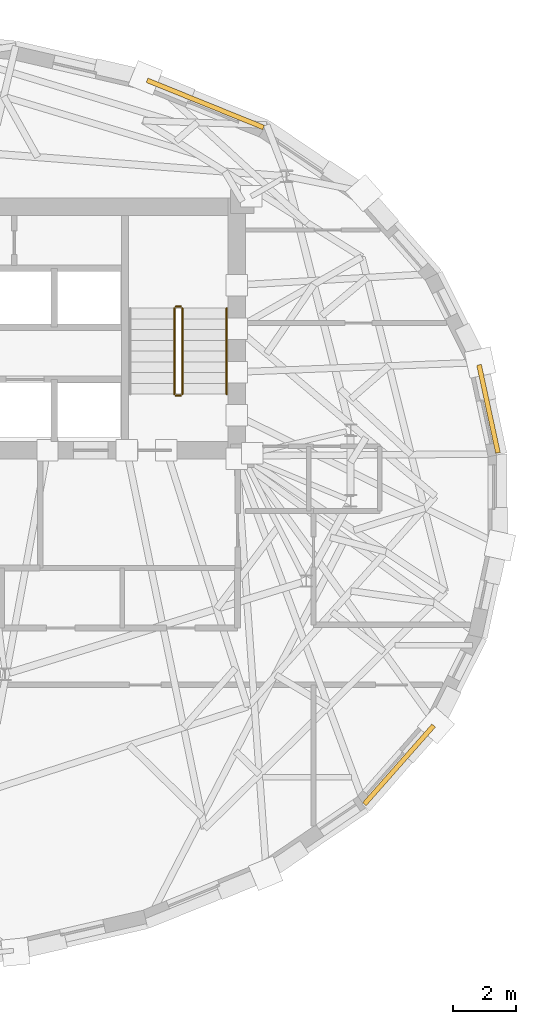
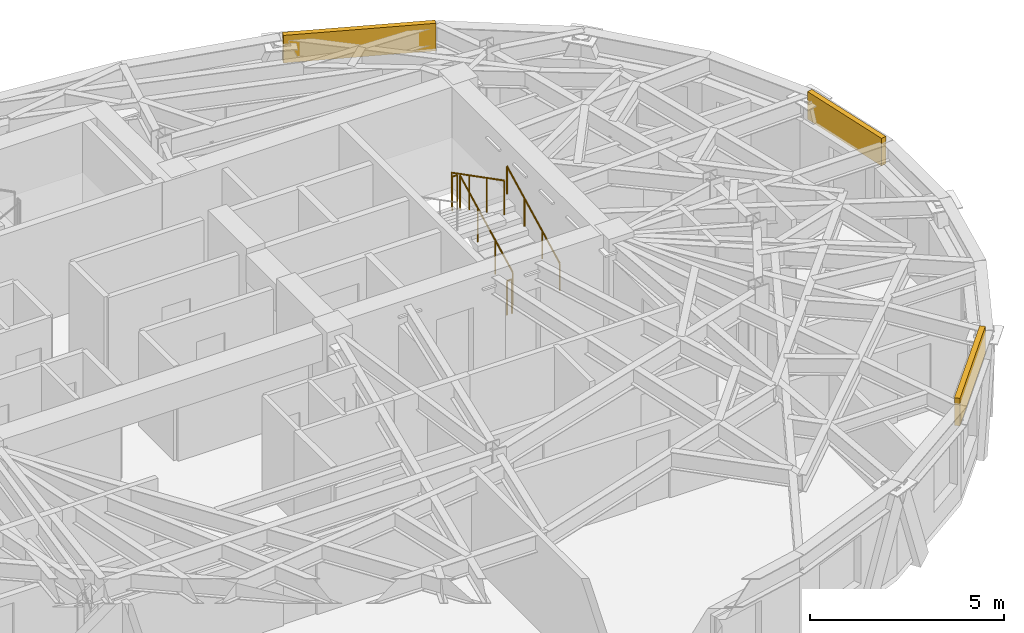
# One storey, part 13 of 13: 5 railings, 3 coverings.
"""IFC4 building model written with IfcOpenShell, lengths in metres."""

from ifc_helpers import new_model, si_unit, direction, frame, origin, origin_2d, place, context, subcontext, project, spatial, rectangle, circle, extrude, material, layer, layer_set, type_object, element, save


model = new_model("IFC4")

# Units and contexts
model_context = context("Model", 3, precision=1e-05, world=origin(), true_north=direction((0.0, 1.0)))
body_context = subcontext(model_context, "Body", "Model", "MODEL_VIEW")
ifc_project = project(units=[si_unit("LENGTHUNIT", "METRE"), si_unit("AREAUNIT", "SQUARE_METRE"), si_unit("VOLUMEUNIT", "CUBIC_METRE"), si_unit("PLANEANGLEUNIT", "RADIAN"), si_unit("MASSUNIT", "GRAM", prefix="KILO")], contexts=[model_context])

# Site, building, storey
site_placement = place(None, origin())
site = spatial("IfcSite", under=ifc_project, at=site_placement, CompositionType="ELEMENT")
building_placement = place(site_placement, origin())
building = spatial("IfcBuilding", under=site, at=building_placement, Name="Keldmark Tower", CompositionType="ELEMENT")
storey_placement = place(building_placement, frame((0.0, 0.0, 241.5)))
storey = spatial("IfcBuildingStorey", under=building, at=storey_placement, Name="L68", CompositionType="ELEMENT", Elevation=241.5)

# Coverings
ifc_material_1 = material(Name="Honed Kasota Buff Dolomitic Limestone", Category="masonry")
ifc_layer = layer(ifc_material_1, 0.074951171875)
ifc_layer_set = layer_set([ifc_layer], Name="Honed Kasota Buff Dolomitic Limestone")
covering_type = type_object("IfcCoveringType", Name="Kasota Buff Limestone Spandrel Cladding Band", PredefinedType="CLADDING", material=ifc_layer_set)
covering_1_placement = place(storey_placement, frame((21.389404296875, 2.884033203125, 2.260009765625), z_axis=(0.0, 0.0, 1.0), x_axis=(-0.210540008659, 0.977585241682, 0.0)))
element("IfcCovering", 1, at=covering_1_placement, inside=storey, type_object=covering_type, Name="L68 Kasota Limestone Spandrel Band 01", PredefinedType="CLADDING", context=body_context, shape_type="SweptSolid", body=[
    extrude(rectangle(XDim=2.847412109375, YDim=0.14990234375, at=origin_2d()), origin(), (0.0, 0.0, 1.0), 0.8701171875),
])
covering_2_placement = place(storey_placement, frame((12.426513671875, 12.53759765625, 2.260009765625), z_axis=(0.0, 0.0, 1.0), x_axis=(-0.92672549442, 0.375739082333, 0.0)))
element("IfcCovering", 2, at=covering_2_placement, inside=storey, type_object=covering_type, Name="L68 Kasota Limestone Spandrel Band 05", PredefinedType="CLADDING", context=body_context, shape_type="SweptSolid", body=[
    extrude(rectangle(XDim=3.976318359375, YDim=0.14990234375, at=origin_2d()), origin(), (0.0, 0.0, 1.0), 0.8701171875),
])
covering_3_placement = place(storey_placement, frame((18.557373046875, -8.381591796875, 2.260009765625), z_axis=(0.0, 0.0, 1.0), x_axis=(0.661364231344, 0.750064899525, 0.0)))
element("IfcCovering", 3, at=covering_3_placement, inside=storey, type_object=covering_type, Name="L68 Kasota Limestone Spandrel Band 29", PredefinedType="CLADDING", context=body_context, shape_type="SweptSolid", body=[
    extrude(rectangle(XDim=3.31201171875, YDim=0.14990234375, at=origin_2d()), origin(), (0.0, 0.0, 1.0), 0.8701171875),
])

# Railings
ifc_material_2 = material(Name="Painted Steel ASTM A500 Grade B", Category="steel")
railing_type_1 = type_object("IfcRailingType", Name="Painted Steel Stair Well Guard 1100 mm", PredefinedType="GUARDRAIL", material=ifc_material_2)
railing_1_placement = place(storey_placement, frame((11.699951171875, 3.35009765625, 0.175048828125)))
element("IfcRailing", 4, at=railing_1_placement, inside=storey, type_object=railing_type_1, Name="L68 ST2 stair guard 1", PredefinedType="GUARDRAIL", context=body_context, shape_type="SweptSolid", body=[
    extrude(circle(Radius=0.02392578125, at=origin_2d()), frame((0.0, 0.0, 1.076171875), z_axis=(0.0, 0.889146794209, 0.457622091194), x_axis=(-1.0, 0.0, 0.0)), (0.0, 0.0, 1.0), 3.05908203125),
    extrude(circle(Radius=0.02099609375, at=origin_2d()), origin(), (0.0, 0.0, 1.0), 1.052001953125),
    extrude(circle(Radius=0.02099609375, at=origin_2d()), frame((0.0, 0.90673828125, 0.466552734375)), (0.0, 0.0, 1.0), 1.052001953125),
    extrude(circle(Radius=0.02099609375, at=origin_2d()), frame((0.0, 1.813232421875, 0.933349609375)), (0.0, 0.0, 1.0), 1.052001953125),
    extrude(circle(Radius=0.02099609375, at=origin_2d()), frame((0.0, 2.719970703125, 1.39990234375)), (0.0, 0.0, 1.0), 1.052001953125),
])
railing_2_placement = place(storey_placement, frame((11.64990234375, 6.1201171875, 1.574951171875)))
element("IfcRailing", 5, at=railing_2_placement, inside=storey, type_object=railing_type_1, Name="L68 ST2 stair guard 2", PredefinedType="GUARDRAIL", context=body_context, shape_type="SweptSolid", body=[
    extrude(circle(Radius=0.02392578125, at=origin_2d()), frame((0.0, 0.0, 1.076171875), z_axis=(-1.0, 0.0, 0.0), x_axis=(0.0, -1.0, 0.0)), (0.0, 0.0, 1.0), 0.14990234375),
    extrude(circle(Radius=0.02099609375, at=origin_2d()), origin(), (0.0, 0.0, 1.0), 1.052001953125),
    extrude(circle(Radius=0.02099609375, at=origin_2d()), frame((-0.14990234375, 0.0, 0.0)), (0.0, 0.0, 1.0), 1.052001953125),
])
railing_3_placement = place(storey_placement, frame((11.449951171875, 6.070068359375, 1.75)))
element("IfcRailing", 6, at=railing_3_placement, inside=storey, type_object=railing_type_1, Name="L68 ST2 stair guard 3", PredefinedType="GUARDRAIL", context=body_context, shape_type="SweptSolid", body=[
    extrude(circle(Radius=0.02392578125, at=origin_2d()), frame((0.0, 0.0, 1.076171875), z_axis=(0.0, -0.889146794209, 0.457622091194), x_axis=(1.0, 0.0, 0.0)), (0.0, 0.0, 1.0), 3.05908203125),
    extrude(circle(Radius=0.02099609375, at=origin_2d()), origin(), (0.0, 0.0, 1.0), 1.052001953125),
    extrude(circle(Radius=0.02099609375, at=origin_2d()), frame((0.0, -0.90673828125, 0.466552734375)), (0.0, 0.0, 1.0), 1.052001953125),
    extrude(circle(Radius=0.02099609375, at=origin_2d()), frame((0.0, -1.813232421875, 0.933349609375)), (0.0, 0.0, 1.0), 1.052001953125),
    extrude(circle(Radius=0.02099609375, at=origin_2d()), frame((0.0, -2.719970703125, 1.39990234375)), (0.0, 0.0, 1.0), 1.052001953125),
])
railing_4_placement = place(storey_placement, frame((11.64990234375, 3.300048828125, 0.0)))
element("IfcRailing", 7, at=railing_4_placement, inside=storey, type_object=railing_type_1, Name="L68 ST2 stair guard 4", PredefinedType="GUARDRAIL", context=body_context, shape_type="SweptSolid", body=[
    extrude(circle(Radius=0.02392578125, at=origin_2d()), frame((0.0, 0.0, 1.076171875), z_axis=(-1.0, 0.0, 0.0), x_axis=(0.0, -1.0, 0.0)), (0.0, 0.0, 1.0), 0.14990234375),
    extrude(circle(Radius=0.02099609375, at=origin_2d()), origin(), (0.0, 0.0, 1.0), 1.052001953125),
    extrude(circle(Radius=0.02099609375, at=origin_2d()), frame((-0.14990234375, 0.0, 0.0)), (0.0, 0.0, 1.0), 1.052001953125),
])
ifc_material_3 = material(Name="Stainless Steel AISI 316L", Category="steel")
railing_type_2 = type_object("IfcRailingType", Name="Stainless Steel Stair Handrail 900 mm", PredefinedType="HANDRAIL", material=ifc_material_3)
railing_5_placement = place(storey_placement, frame((13.10009765625, 3.35009765625, 0.175048828125)))
element("IfcRailing", 8, at=railing_5_placement, inside=storey, type_object=railing_type_2, Name="L68 ST2 stair handrail 1", PredefinedType="HANDRAIL", context=body_context, shape_type="SweptSolid", body=[
    extrude(circle(Radius=0.02392578125, at=origin_2d()), frame((0.0, 0.0, 0.8759765625), z_axis=(0.0, 0.889146794209, 0.457622091194), x_axis=(-1.0, 0.0, 0.0)), (0.0, 0.0, 1.0), 3.05908203125),
    extrude(circle(Radius=0.02099609375, at=origin_2d()), origin(), (0.0, 0.0, 1.0), 0.851806640625),
    extrude(circle(Radius=0.02099609375, at=origin_2d()), frame((0.0, 0.90673828125, 0.466552734375)), (0.0, 0.0, 1.0), 0.851806640625),
    extrude(circle(Radius=0.02099609375, at=origin_2d()), frame((0.0, 1.813232421875, 0.933349609375)), (0.0, 0.0, 1.0), 0.851806640625),
    extrude(circle(Radius=0.02099609375, at=origin_2d()), frame((0.0, 2.719970703125, 1.39990234375)), (0.0, 0.0, 1.0), 0.851806640625),
])

save(model, "model.ifc")
